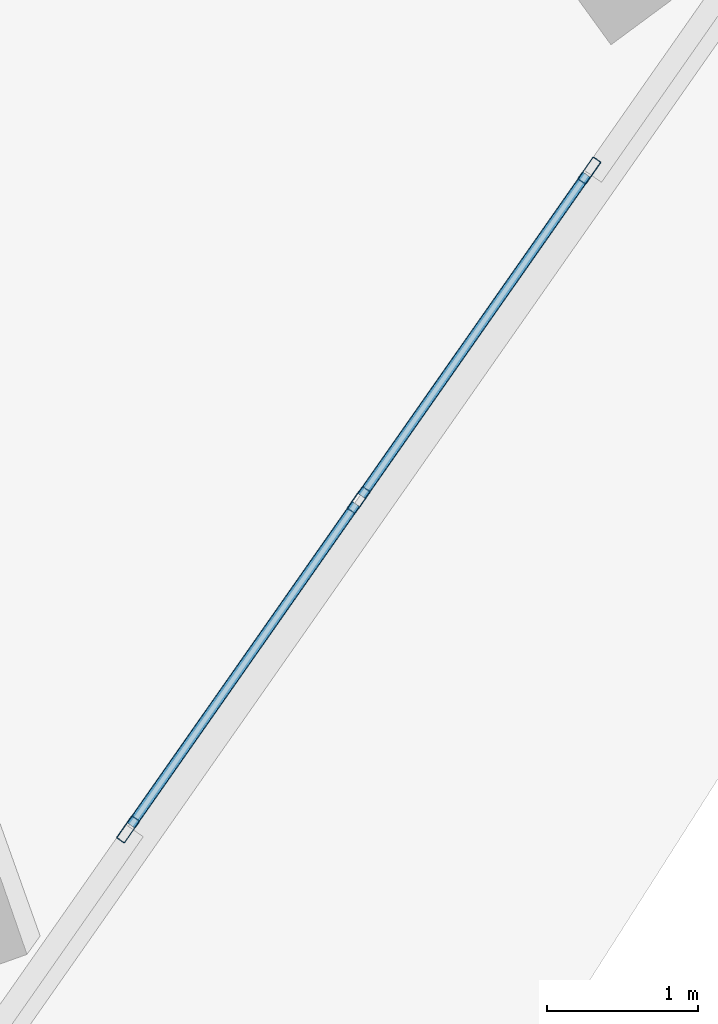
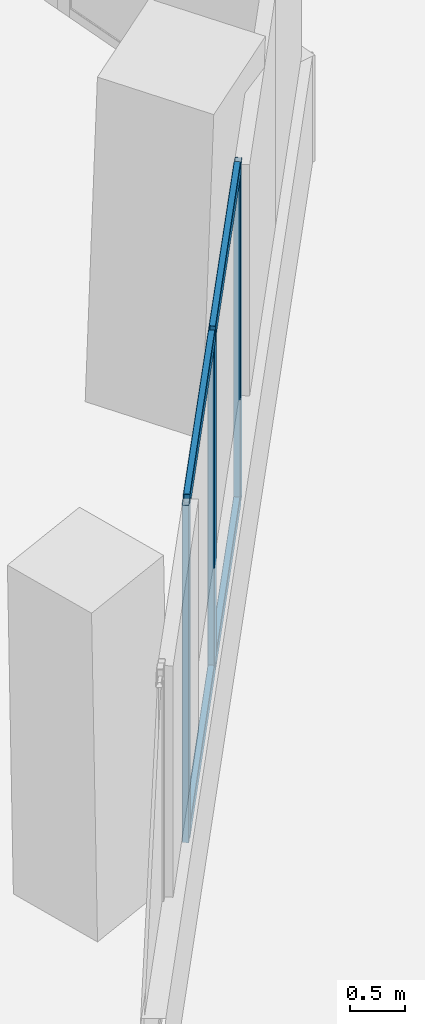
# One storey, part 10 of 22: 7 members, 1 element without a shape of its own.
"""IFC4 building model written with IfcOpenShell, lengths in metres."""

import ifcopenshell
import ifcopenshell.guid

model = None  # the IFC model being written
_history = None  # IfcOwnerHistory: only IFC2X3 demands one
_inside = {}  # id of a spatial element -> (the spatial element, [elements in it])
_under = {}  # id of a project, library or spatial element -> (it, [spatial elements below it])
_declared = {}  # id of a project -> (the project, [libraries it declares])
_typed = {}  # id of a type object -> (the type object, [elements of that type])
_made_of = {}  # id of a material, layer set ... -> (it, [elements and type objects made of it])


def new_model(schema):
    """Start an empty IFC model of exactly this schema.

    Asked for "IFC4X3", IfcOpenShell would pick the latest addendum, in which some entities
    have other attributes; the version numbers below select the first issue.
    IFC2X3 requires an IfcOwnerHistory on every rooted entity: one is made here for all.
    """
    global model, _history
    if schema == "IFC4X3":
        model = ifcopenshell.file(schema_version=(4, 3, 0, 0))
    else:
        model = ifcopenshell.file(schema=schema)
    _inside.clear()
    _under.clear()
    _declared.clear()
    _typed.clear()
    _made_of.clear()
    _history = None
    if model.schema == "IFC2X3":
        org = make("IfcOrganization", Name="unknown")
        user = make(
            "IfcPersonAndOrganization",
            ThePerson=make("IfcPerson", FamilyName="unknown"),
            TheOrganization=org,
        )
        app = make(
            "IfcApplication",
            ApplicationDeveloper=org,
            Version="unknown",
            ApplicationFullName="unknown",
            ApplicationIdentifier="unknown",
        )
        _history = make(
            "IfcOwnerHistory",
            OwningUser=user,
            OwningApplication=app,
            ChangeAction="ADDED",
            CreationDate=0,
        )
    return model


def make(cls, **values):
    """One entity of the class cls with the attributes given. An attribute that is None is left unset."""
    return model.create_entity(
        cls, **{name: value for name, value in values.items() if value is not None}
    )


def rooted(cls, **values):
    """An entity with a GlobalId (a new one), such as an element, a storey or a relation."""
    return make(cls, GlobalId=ifcopenshell.guid.new(), OwnerHistory=_history, **values)


def si_unit(unit_type, name, prefix=None):
    """IfcSIUnit, for example si_unit("LENGTHUNIT", "METRE", prefix="MILLI")."""
    return make("IfcSIUnit", UnitType=unit_type, Prefix=prefix, Name=name)


def assignment(units):
    """IfcUnitAssignment: the units of a project."""
    return None if units is None else make("IfcUnitAssignment", Units=units)


def point(xyz):
    """IfcCartesianPoint."""
    return None if xyz is None else make("IfcCartesianPoint", Coordinates=xyz)


def direction(xyz):
    """IfcDirection."""
    return None if xyz is None else make("IfcDirection", DirectionRatios=xyz)


def frame(location, z_axis=None, x_axis=None):
    """IfcAxis2Placement3D, a coordinate frame: its origin and axes. An axis left out is left unset."""
    return make(
        "IfcAxis2Placement3D",
        Location=point(location),
        Axis=direction(z_axis),
        RefDirection=direction(x_axis),
    )


def frame_2d(location, x_axis=None):
    """IfcAxis2Placement2D, a coordinate frame in the plane: its origin and x axis."""
    return make(
        "IfcAxis2Placement2D", Location=point(location), RefDirection=direction(x_axis)
    )


def origin():
    """The frame at (0, 0, 0) with its axes left unset."""
    return frame((0.0, 0.0, 0.0))


def origin_2d():
    """The frame at (0, 0) in the plane with its x axis left unset."""
    return frame_2d((0.0, 0.0))


def place(relative_to, where):
    """IfcLocalPlacement: puts the frame where relative to a parent placement (None: the world)."""
    return make(
        "IfcLocalPlacement", PlacementRelTo=relative_to, RelativePlacement=where
    )


def context(
    kind, dimensions, precision=None, world=None, true_north=None, identifier=None
):
    """IfcGeometricRepresentationContext, for example the 3D "Model" context."""
    return make(
        "IfcGeometricRepresentationContext",
        ContextIdentifier=identifier,
        ContextType=kind,
        CoordinateSpaceDimension=dimensions,
        Precision=precision,
        WorldCoordinateSystem=world,
        TrueNorth=true_north,
    )


def subcontext(parent, identifier, kind, view, scale=None):
    """IfcGeometricRepresentationSubContext, for example "Body" below "Model"."""
    return make(
        "IfcGeometricRepresentationSubContext",
        ContextIdentifier=identifier,
        ContextType=kind,
        ParentContext=parent,
        TargetScale=scale,
        TargetView=view,
    )


def project(units=None, contexts=None):
    """IfcProject with its units and contexts."""
    return rooted(
        "IfcProject",
        Name="project",
        RepresentationContexts=contexts,
        UnitsInContext=assignment(units),
    )


def spatial(cls, under=None, at=None, **own):
    """A site, building, storey or space (cls), placed at a placement, below another one or the project."""
    s = rooted(cls, ObjectPlacement=at, **own)
    if under is not None:
        _under.setdefault(under.id(), (under, []))[1].append(s)
    return s


def profile(cls, at=None, kind="AREA", **sizes):
    """A parametric profile (cls). Its sizes go by their IFC names, for example OverallWidth=200.0."""
    return make(cls, ProfileType=kind, Position=at, **sizes)


def hollow_rectangle(**sizes):
    """IfcRectangleHollowProfileDef."""
    return profile("IfcRectangleHollowProfileDef", **sizes)


def extrude(swept, where, along, depth):
    """IfcExtrudedAreaSolid: the profile swept, set in the frame where, extruded along a direction by depth."""
    return make(
        "IfcExtrudedAreaSolid",
        SweptArea=swept,
        Position=where,
        ExtrudedDirection=direction(along),
        Depth=depth,
    )


def shape(context_of_items, identifier, shape_type, items):
    """IfcShapeRepresentation: the items that make up one representation, for example the "Body"."""
    return make(
        "IfcShapeRepresentation",
        ContextOfItems=context_of_items,
        RepresentationIdentifier=identifier,
        RepresentationType=shape_type,
        Items=items,
    )


def source(mapping_origin, context_of_items, identifier, shape_type, items):
    """IfcRepresentationMap: a shape defined once, which mapped items show again and again."""
    return make(
        "IfcRepresentationMap",
        MappingOrigin=mapping_origin,
        MappedRepresentation=shape(context_of_items, identifier, shape_type, items),
    )


def transform(
    local_origin,
    x_axis=None,
    y_axis=None,
    z_axis=None,
    scale=None,
    scale2=None,
    scale3=None,
    uniform=True,
):
    """IfcCartesianTransformationOperator3D, or its non-uniform kind. x_axis, y_axis, z_axis: its Axis1, 2, 3."""
    if uniform:
        return make(
            "IfcCartesianTransformationOperator3D",
            Axis1=direction(x_axis),
            Axis2=direction(y_axis),
            LocalOrigin=point(local_origin),
            Scale=scale,
            Axis3=direction(z_axis),
        )
    return make(
        "IfcCartesianTransformationOperator3DnonUniform",
        Axis1=direction(x_axis),
        Axis2=direction(y_axis),
        LocalOrigin=point(local_origin),
        Scale=scale,
        Axis3=direction(z_axis),
        Scale2=scale2,
        Scale3=scale3,
    )


def mapped(mapping_source, mapping_target):
    """IfcMappedItem: shows the shape of a source again, moved by a transform."""
    return make(
        "IfcMappedItem", MappingSource=mapping_source, MappingTarget=mapping_target
    )


def material(Name=None, Category=None):
    """IfcMaterial."""
    return make("IfcMaterial", Name=Name, Category=Category)


def material_profile(
    of_material, cross_section, Name=None, Category=None, Priority=None
):
    """IfcMaterialProfile: a cross section and its material."""
    return make(
        "IfcMaterialProfile",
        Name=Name,
        Material=of_material,
        Profile=cross_section,
        Priority=Priority,
        Category=Category,
    )


def profile_set(profiles, Name=None, composite=None):
    """IfcMaterialProfileSet."""
    return make(
        "IfcMaterialProfileSet",
        Name=Name,
        MaterialProfiles=profiles,
        CompositeProfile=composite,
    )


def made_of(thing, what):
    """Note that an element or type object is made of a material, layer set ...; save() writes the relation."""
    if what is not None:
        _made_of.setdefault(what.id(), (what, []))[1].append(thing)
    return thing


def type_object(cls, material=None, **own):
    """A type object (cls), such as IfcWallType, which elements share."""
    return made_of(rooted(cls, **own), material)


def element(
    cls,
    number,
    at=None,
    inside=None,
    cuts=None,
    type_object=None,
    material=None,
    context=None,
    identifier="Body",
    shape_type=None,
    held_by="IfcProductDefinitionShape",
    body=None,
    shapes=None,
    **own,
):
    """One element of the class cls, such as IfcWall. Its Tag is "e" and its number.

    at: its placement. inside: the storey or other place that contains it. cuts: it is an
    opening in that element (IfcRelVoidsElement). A single representation is given by context,
    identifier, shape_type and body (its items); several are given by shapes. held_by: the class
    of the entity that holds the representations. save() writes the other relations.
    """
    e = rooted(cls, Tag="e%d" % number, ObjectPlacement=at, **own)
    if body is not None:
        shapes = [shape(context, identifier, shape_type, body)]
    if shapes is not None:
        e.Representation = make(held_by, Representations=shapes)
    if inside is not None:
        _inside.setdefault(inside.id(), (inside, []))[1].append(e)
    if cuts is not None:
        rooted(
            "IfcRelVoidsElement", RelatingBuildingElement=cuts, RelatedOpeningElement=e
        )
    if type_object is not None:
        _typed.setdefault(type_object.id(), (type_object, []))[1].append(e)
    return made_of(e, material)


def aggregate(whole, parts):
    """IfcRelAggregates: a whole, such as a stair, and the parts it consists of."""
    return rooted("IfcRelAggregates", RelatingObject=whole, RelatedObjects=parts)


def save(model, path):
    """Write the relations noted so far, then the file.

    IfcRelAggregates (storeys below a building ...), IfcRelContainedInSpatialStructure (elements
    in a storey), IfcRelDefinesByType, IfcRelAssociatesMaterial and IfcRelDeclares: one each for
    every whole, place, type object, material and project.
    """
    for whole, parts in _under.values():
        aggregate(whole, parts)
    for where, things in _inside.values():
        rooted(
            "IfcRelContainedInSpatialStructure",
            RelatedElements=things,
            RelatingStructure=where,
        )
    for kind, things in _typed.values():
        rooted("IfcRelDefinesByType", RelatedObjects=things, RelatingType=kind)
    for what, things in _made_of.values():
        rooted("IfcRelAssociatesMaterial", RelatedObjects=things, RelatingMaterial=what)
    for by, libraries in _declared.values():
        rooted("IfcRelDeclares", RelatingContext=by, RelatedDefinitions=libraries)
    model.write(path)


model = new_model("IFC4")

# Units and contexts
model_context = context("Model", 3, precision=1e-05, world=origin(), true_north=direction((0.0, 1.0)))
body_context = subcontext(model_context, "Body", "Model", "MODEL_VIEW")
ifc_project = project(units=[si_unit("LENGTHUNIT", "METRE"), si_unit("AREAUNIT", "SQUARE_METRE"), si_unit("VOLUMEUNIT", "CUBIC_METRE"), si_unit("PLANEANGLEUNIT", "RADIAN"), si_unit("MASSUNIT", "GRAM", prefix="KILO")], contexts=[model_context])

# Site, building, storey
site_placement = place(None, origin())
site = spatial("IfcSite", under=ifc_project, at=site_placement, CompositionType="ELEMENT")
building_placement = place(site_placement, origin())
building = spatial("IfcBuilding", under=site, at=building_placement, Name="Torre Montelarca", CompositionType="ELEMENT")
storey_placement = place(building_placement, frame((0.0, 0.0, 196.0)))
storey = spatial("IfcBuildingStorey", under=building, at=storey_placement, Name="L44", CompositionType="ELEMENT", Elevation=196.0)

# Curtain wall, members
ifc_material_1 = material(Name="Insulated low-E laminated glass", Category="glass")
curtain_wall_type = type_object("IfcCurtainWallType", Name="CW-SYS-Z2", PredefinedType="USERDEFINED", material=ifc_material_1)
curtain_wall_placement = place(storey_placement, origin())
curtain_wall = element("IfcCurtainWall", 1, at=curtain_wall_placement, inside=storey, type_object=curtain_wall_type, Name="L44 Curtain Wall Run CW-T3-L44-E06-B2", ObjectType="UNITISED GLAZING", PredefinedType="USERDEFINED")
ifc_material_2 = material(Name="Anodised aluminium AA 6063-T6", Category="aluminium")
ifc_material_profile_1 = material_profile(ifc_material_2, hollow_rectangle(XDim=0.06494140625, YDim=0.179931640625, WallThickness=0.00390625, InnerFilletRadius=0.00390625, OuterFilletRadius=0.008056640625, at=origin_2d()), Name="ALU65X180X4", Category="aluminium")
ifc_profile_set_1 = profile_set([ifc_material_profile_1], Name="Anodised aluminium AA 6063-T6")
member_type_1 = type_object("IfcMemberType", Name="CWM-ALU180", PredefinedType="MULLION", material=ifc_profile_set_1)
shared_shape_1 = source(origin(), body_context, "Body", "SweptSolid", [
    extrude(hollow_rectangle(XDim=0.06494140625, YDim=0.179931640625, WallThickness=0.00390625, InnerFilletRadius=0.00390625, OuterFilletRadius=0.008056640625, at=origin_2d()), origin(), (0.0, 0.0, 1.0), 3.719970703125),
])
member_1_placement = place(storey_placement, frame((44.4189453125, 17.18798828125, 0.0), z_axis=(0.0, 0.0, 1.0), x_axis=(-0.819154270264, 0.573573257317, 0.0)))
member_1 = element("IfcMember", 2, at=member_1_placement, type_object=member_type_1, Name="CW mullion 1", PredefinedType="MULLION", context=body_context, shape_type="MappedRepresentation", body=[
    mapped(shared_shape_1, transform((0.0, 0.0, 0.0), scale=1.0)),
])
member_2_placement = place(storey_placement, frame((45.944580078125, 19.366943359375, 0.0), z_axis=(0.0, 0.0, 1.0), x_axis=(-0.819154270264, 0.573573257317, 0.0)))
member_2 = element("IfcMember", 3, at=member_2_placement, type_object=member_type_1, Name="CW mullion 2", PredefinedType="MULLION", context=body_context, shape_type="MappedRepresentation", body=[
    mapped(shared_shape_1, transform((0.0, 0.0, 0.0), scale=1.0)),
])
member_3_placement = place(storey_placement, frame((47.470458984375, 21.5458984375, 0.0), z_axis=(0.0, 0.0, 1.0), x_axis=(-0.819154270264, 0.573573257317, 0.0)))
member_3 = element("IfcMember", 4, at=member_3_placement, type_object=member_type_1, Name="CW mullion 3", PredefinedType="MULLION", context=body_context, shape_type="MappedRepresentation", body=[
    mapped(shared_shape_1, transform((0.0, 0.0, 0.0), scale=1.0)),
])
ifc_material_profile_2 = material_profile(ifc_material_2, hollow_rectangle(XDim=0.06494140625, YDim=0.139892578125, WallThickness=0.00390625, InnerFilletRadius=0.00390625, OuterFilletRadius=0.008056640625, at=origin_2d()), Name="ALU65X140X4", Category="aluminium")
ifc_profile_set_2 = profile_set([ifc_material_profile_2], Name="Anodised aluminium AA 6063-T6")
member_type_2 = type_object("IfcMemberType", Name="CWT-ALU140", PredefinedType="USERDEFINED", material=ifc_profile_set_2)
shared_shape_2 = source(origin(), body_context, "Body", "SweptSolid", [
    extrude(hollow_rectangle(XDim=0.06494140625, YDim=0.139892578125, WallThickness=0.00390625, InnerFilletRadius=0.00390625, OuterFilletRadius=0.008056640625, at=origin_2d()), origin(), (0.0, 0.0, 1.0), 2.594970703125),
])
member_4_placement = place(storey_placement, frame((44.4375, 17.214599609375, 0.032470703125), z_axis=(0.573594930322, 0.81913909436, 0.0), x_axis=(-0.81913909436, 0.573594930322, 0.0)))
member_4 = element("IfcMember", 5, at=member_4_placement, type_object=member_type_2, Name="CW transom 1.1", ObjectType="TRANSOM", PredefinedType="USERDEFINED", context=body_context, shape_type="MappedRepresentation", body=[
    mapped(shared_shape_2, transform((0.0, 0.0, 0.0), scale=1.0)),
])
member_5_placement = place(storey_placement, frame((44.4375, 17.214599609375, 3.6875), z_axis=(0.573594930322, 0.81913909436, 0.0), x_axis=(-0.81913909436, 0.573594930322, 0.0)))
member_5 = element("IfcMember", 6, at=member_5_placement, type_object=member_type_2, Name="CW transom 1.2", ObjectType="TRANSOM", PredefinedType="USERDEFINED", context=body_context, shape_type="MappedRepresentation", body=[
    mapped(shared_shape_2, transform((0.0, 0.0, 0.0), scale=1.0)),
])
member_6_placement = place(storey_placement, frame((45.96337890625, 19.3935546875, 0.032470703125), z_axis=(0.573594930322, 0.81913909436, 0.0), x_axis=(-0.81913909436, 0.573594930322, 0.0)))
member_6 = element("IfcMember", 7, at=member_6_placement, type_object=member_type_2, Name="CW transom 2.1", ObjectType="TRANSOM", PredefinedType="USERDEFINED", context=body_context, shape_type="MappedRepresentation", body=[
    mapped(shared_shape_2, transform((0.0, 0.0, 0.0), scale=1.0)),
])
member_7_placement = place(storey_placement, frame((45.96337890625, 19.3935546875, 3.6875), z_axis=(0.573594930322, 0.81913909436, 0.0), x_axis=(-0.81913909436, 0.573594930322, 0.0)))
member_7 = element("IfcMember", 8, at=member_7_placement, type_object=member_type_2, Name="CW transom 2.2", ObjectType="TRANSOM", PredefinedType="USERDEFINED", context=body_context, shape_type="MappedRepresentation", body=[
    mapped(shared_shape_2, transform((0.0, 0.0, 0.0), scale=1.0)),
])
aggregate(curtain_wall, [member_1, member_2, member_3, member_4, member_5, member_6, member_7])

save(model, "model.ifc")
